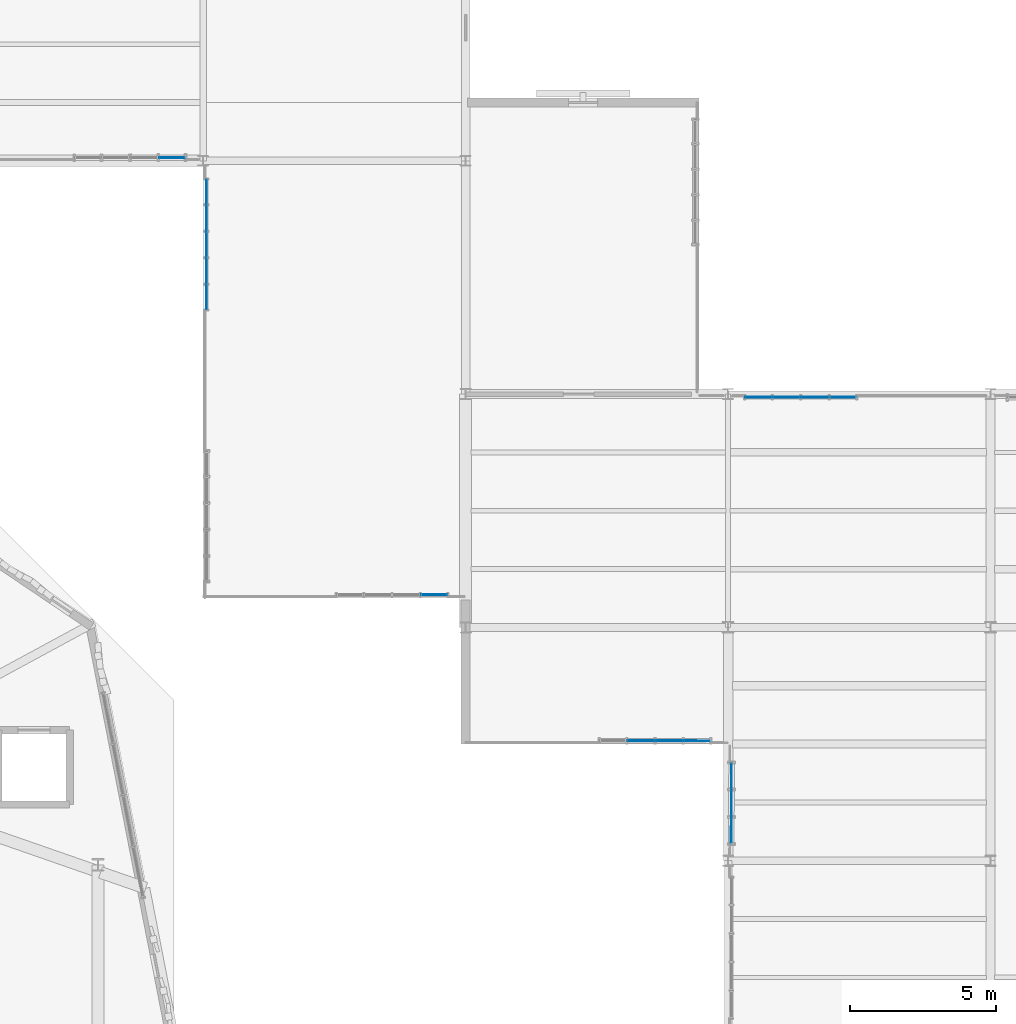
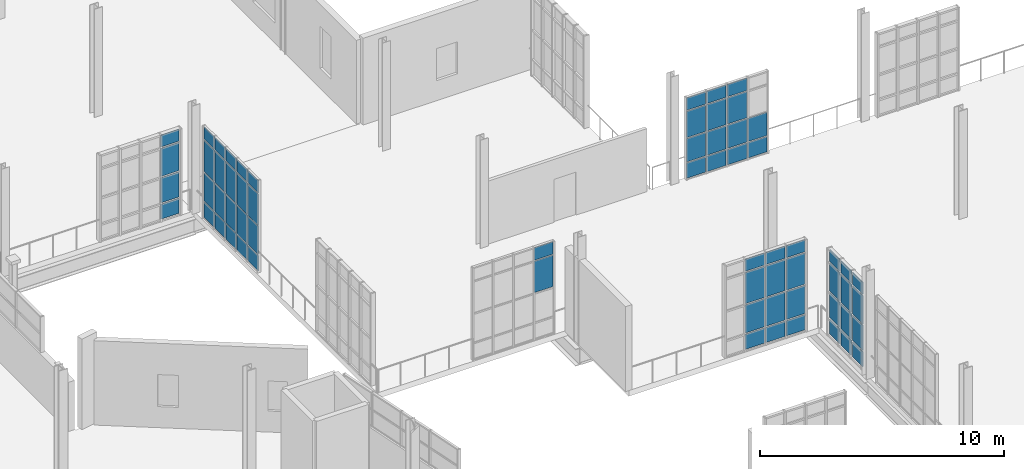
# One storey, part 110 of 142: 64 plates, 6 elements without a shape of their own.
"""IFC4 building model written with IfcOpenShell, lengths in metres."""

from ifc_helpers import new_model, si_unit, direction, frame, origin, origin_2d, place, context, subcontext, project, spatial, rectangle, extrude, material, layer, layer_set, type_object, element, aggregate, save


model = new_model("IFC4")

# Units and contexts
model_context = context("Model", 3, precision=1e-05, world=origin(), true_north=direction((0.0, 1.0)))
body_context = subcontext(model_context, "Body", "Model", "MODEL_VIEW")
ifc_project = project(units=[si_unit("LENGTHUNIT", "METRE"), si_unit("AREAUNIT", "SQUARE_METRE"), si_unit("VOLUMEUNIT", "CUBIC_METRE"), si_unit("PLANEANGLEUNIT", "RADIAN"), si_unit("MASSUNIT", "GRAM", prefix="KILO"), si_unit("THERMODYNAMICTEMPERATUREUNIT", "KELVIN"), si_unit("POWERUNIT", "WATT")], contexts=[model_context])

# Site, building, storey
site_placement = place(None, origin())
site = spatial("IfcSite", under=ifc_project, at=site_placement, CompositionType="ELEMENT")
building_placement = place(site_placement, origin())
building = spatial("IfcBuilding", under=site, at=building_placement, Name="Zelmaris Science Centre", CompositionType="ELEMENT")
storey_placement = place(building_placement, frame((0.0, 0.0, 5.39990234375)))
storey = spatial("IfcBuildingStorey", under=building, at=storey_placement, Name="L01", CompositionType="ELEMENT", Elevation=5.39990234375)

# Curtain wall, plates
ifc_material_1 = material(Name="Anodised architectural aluminium 6063-T6", Category="aluminium")
ifc_layer_1 = layer(ifc_material_1, 0.18994140625, Name="Anodised architectural aluminium 6063-T6")
ifc_layer_set_1 = layer_set([ifc_layer_1], Name="Anodised architectural aluminium 6063-T6")
curtain_wall_type_1 = type_object("IfcCurtainWallType", Name="Curtain Wall CW-01", PredefinedType="USERDEFINED", material=ifc_layer_set_1)
curtain_wall_1_placement = place(storey_placement, origin())
curtain_wall_1 = element("IfcCurtainWall", 1, at=curtain_wall_1_placement, inside=storey, type_object=curtain_wall_type_1, Name="L01 Unitised curtain wall 181", ObjectType="GLAZED CURTAIN WALL", PredefinedType="USERDEFINED")
ifc_material_2 = material(Name="Laminated hurricane-rated low-E insulated glazing", Category="glass")
ifc_layer_2 = layer(ifc_material_2, 0.031982421875, Name="Laminated hurricane-rated low-E insulated glazing")
ifc_layer_set_2 = layer_set([ifc_layer_2], Name="Laminated hurricane-rated low-E insulated glazing")
plate_type_1 = type_object("IfcPlateType", Name="Curtain Glazing Panel CWP-1 32mm", PredefinedType="CURTAIN_PANEL", material=ifc_layer_set_2)
plate_1_placement = place(storey_placement, frame((117.116943359375, 41.03466796875, 0.05712890625), z_axis=(0.0, 0.0, 1.0), x_axis=(0.00101398549, 0.999999485917, 0.0)))
plate_1 = element("IfcPlate", 2, at=plate_1_placement, type_object=plate_type_1, Name="CW-01 panel 1.1", PredefinedType="CURTAIN_PANEL", context=body_context, shape_type="SweptSolid", body=[
    extrude(rectangle(XDim=0.84521484375, YDim=0.031982421875, at=origin_2d()), origin(), (0.0, 0.0, 1.0), 0.741943359375),
])
plate_2_placement = place(storey_placement, frame((117.116943359375, 41.03466796875, 0.87109375), z_axis=(0.0, 0.0, 1.0), x_axis=(0.00101398549, 0.999999485917, 0.0)))
plate_2 = element("IfcPlate", 3, at=plate_2_placement, type_object=plate_type_1, Name="CW-01 panel 1.2", PredefinedType="CURTAIN_PANEL", context=body_context, shape_type="SweptSolid", body=[
    extrude(rectangle(XDim=0.84521484375, YDim=0.031982421875, at=origin_2d()), origin(), (0.0, 0.0, 1.0), 1.259521484375),
])
plate_3_placement = place(storey_placement, frame((117.116943359375, 41.03466796875, 2.20263671875), z_axis=(0.0, 0.0, 1.0), x_axis=(0.00101398549, 0.999999485917, 0.0)))
plate_3 = element("IfcPlate", 4, at=plate_3_placement, type_object=plate_type_1, Name="CW-01 panel 1.3", PredefinedType="CURTAIN_PANEL", context=body_context, shape_type="SweptSolid", body=[
    extrude(rectangle(XDim=0.84521484375, YDim=0.031982421875, at=origin_2d()), origin(), (0.0, 0.0, 1.0), 1.409423828125),
])
plate_4_placement = place(storey_placement, frame((117.116943359375, 41.03466796875, 3.68408203125), z_axis=(0.0, 0.0, 1.0), x_axis=(0.00101398549, 0.999999485917, 0.0)))
plate_4 = element("IfcPlate", 5, at=plate_4_placement, type_object=plate_type_1, Name="CW-01 panel 1.4", PredefinedType="CURTAIN_PANEL", context=body_context, shape_type="SweptSolid", body=[
    extrude(rectangle(XDim=0.84521484375, YDim=0.031982421875, at=origin_2d()), origin(), (0.0, 0.0, 1.0), 0.592041015625),
])
plate_5_placement = place(storey_placement, frame((117.117919921875, 41.969970703125, 0.05712890625), z_axis=(0.0, 0.0, 1.0), x_axis=(0.00101398549, 0.999999485917, 0.0)))
plate_5 = element("IfcPlate", 6, at=plate_5_placement, type_object=plate_type_1, Name="CW-01 panel 2.1", PredefinedType="CURTAIN_PANEL", context=body_context, shape_type="SweptSolid", body=[
    extrude(rectangle(XDim=0.88134765625, YDim=0.031982421875, at=origin_2d()), origin(), (0.0, 0.0, 1.0), 0.741943359375),
])
plate_6_placement = place(storey_placement, frame((117.117919921875, 41.969970703125, 0.87109375), z_axis=(0.0, 0.0, 1.0), x_axis=(0.00101398549, 0.999999485917, 0.0)))
plate_6 = element("IfcPlate", 7, at=plate_6_placement, type_object=plate_type_1, Name="CW-01 panel 2.2", PredefinedType="CURTAIN_PANEL", context=body_context, shape_type="SweptSolid", body=[
    extrude(rectangle(XDim=0.88134765625, YDim=0.031982421875, at=origin_2d()), origin(), (0.0, 0.0, 1.0), 1.259521484375),
])
plate_7_placement = place(storey_placement, frame((117.117919921875, 41.969970703125, 2.20263671875), z_axis=(0.0, 0.0, 1.0), x_axis=(0.00101398549, 0.999999485917, 0.0)))
plate_7 = element("IfcPlate", 8, at=plate_7_placement, type_object=plate_type_1, Name="CW-01 panel 2.3", PredefinedType="CURTAIN_PANEL", context=body_context, shape_type="SweptSolid", body=[
    extrude(rectangle(XDim=0.88134765625, YDim=0.031982421875, at=origin_2d()), origin(), (0.0, 0.0, 1.0), 1.409423828125),
])
plate_8_placement = place(storey_placement, frame((117.117919921875, 41.969970703125, 3.68408203125), z_axis=(0.0, 0.0, 1.0), x_axis=(0.00101398549, 0.999999485917, 0.0)))
plate_8 = element("IfcPlate", 9, at=plate_8_placement, type_object=plate_type_1, Name="CW-01 panel 2.4", PredefinedType="CURTAIN_PANEL", context=body_context, shape_type="SweptSolid", body=[
    extrude(rectangle(XDim=0.88134765625, YDim=0.031982421875, at=origin_2d()), origin(), (0.0, 0.0, 1.0), 0.592041015625),
])
plate_9_placement = place(storey_placement, frame((117.118896484375, 42.9052734375, 0.05712890625), z_axis=(0.0, 0.0, 1.0), x_axis=(0.00101398549, 0.999999485917, 0.0)))
plate_9 = element("IfcPlate", 10, at=plate_9_placement, type_object=plate_type_1, Name="CW-01 panel 3.1", PredefinedType="CURTAIN_PANEL", context=body_context, shape_type="SweptSolid", body=[
    extrude(rectangle(XDim=0.84521484375, YDim=0.031982421875, at=origin_2d()), origin(), (0.0, 0.0, 1.0), 0.741943359375),
])
plate_10_placement = place(storey_placement, frame((117.118896484375, 42.9052734375, 0.87109375), z_axis=(0.0, 0.0, 1.0), x_axis=(0.00101398549, 0.999999485917, 0.0)))
plate_10 = element("IfcPlate", 11, at=plate_10_placement, type_object=plate_type_1, Name="CW-01 panel 3.2", PredefinedType="CURTAIN_PANEL", context=body_context, shape_type="SweptSolid", body=[
    extrude(rectangle(XDim=0.84521484375, YDim=0.031982421875, at=origin_2d()), origin(), (0.0, 0.0, 1.0), 1.259521484375),
])
plate_11_placement = place(storey_placement, frame((117.118896484375, 42.9052734375, 2.20263671875), z_axis=(0.0, 0.0, 1.0), x_axis=(0.00101398549, 0.999999485917, 0.0)))
plate_11 = element("IfcPlate", 12, at=plate_11_placement, type_object=plate_type_1, Name="CW-01 panel 3.3", PredefinedType="CURTAIN_PANEL", context=body_context, shape_type="SweptSolid", body=[
    extrude(rectangle(XDim=0.84521484375, YDim=0.031982421875, at=origin_2d()), origin(), (0.0, 0.0, 1.0), 1.409423828125),
])
plate_12_placement = place(storey_placement, frame((117.118896484375, 42.9052734375, 3.68408203125), z_axis=(0.0, 0.0, 1.0), x_axis=(0.00101398549, 0.999999485917, 0.0)))
plate_12 = element("IfcPlate", 13, at=plate_12_placement, type_object=plate_type_1, Name="CW-01 panel 3.4", PredefinedType="CURTAIN_PANEL", context=body_context, shape_type="SweptSolid", body=[
    extrude(rectangle(XDim=0.84521484375, YDim=0.031982421875, at=origin_2d()), origin(), (0.0, 0.0, 1.0), 0.592041015625),
])
aggregate(curtain_wall_1, [plate_1, plate_2, plate_3, plate_4, plate_5, plate_6, plate_7, plate_8, plate_9, plate_10, plate_11, plate_12])

curtain_wall_2_placement = place(storey_placement, origin())
curtain_wall_2 = element("IfcCurtainWall", 14, at=curtain_wall_2_placement, inside=storey, type_object=curtain_wall_type_1, Name="L01 Unitised curtain wall 189", ObjectType="GLAZED CURTAIN WALL", PredefinedType="USERDEFINED")
plate_13_placement = place(storey_placement, frame((97.929443359375, 64.109375, 0.05712890625), z_axis=(0.0, 0.0, 1.0), x_axis=(-0.999999793124, -0.000643235606, 0.0)))
plate_13 = element("IfcPlate", 15, at=plate_13_placement, type_object=plate_type_1, Name="CW-01 panel 1.1", PredefinedType="CURTAIN_PANEL", context=body_context, shape_type="SweptSolid", body=[
    extrude(rectangle(XDim=0.86376953125, YDim=0.031982421875, at=origin_2d()), origin(), (0.0, 0.0, 1.0), 0.741943359375),
])
plate_14_placement = place(storey_placement, frame((97.929443359375, 64.109375, 0.87109375), z_axis=(0.0, 0.0, 1.0), x_axis=(-0.999999793124, -0.000643235606, 0.0)))
plate_14 = element("IfcPlate", 16, at=plate_14_placement, type_object=plate_type_1, Name="CW-01 panel 1.2", PredefinedType="CURTAIN_PANEL", context=body_context, shape_type="SweptSolid", body=[
    extrude(rectangle(XDim=0.86376953125, YDim=0.031982421875, at=origin_2d()), origin(), (0.0, 0.0, 1.0), 1.248046875),
])
plate_15_placement = place(storey_placement, frame((97.929443359375, 64.109375, 2.191162109375), z_axis=(0.0, 0.0, 1.0), x_axis=(-0.999999793124, -0.000643235606, 0.0)))
plate_15 = element("IfcPlate", 17, at=plate_15_placement, type_object=plate_type_1, Name="CW-01 panel 1.3", PredefinedType="CURTAIN_PANEL", context=body_context, shape_type="SweptSolid", body=[
    extrude(rectangle(XDim=0.86376953125, YDim=0.031982421875, at=origin_2d()), origin(), (0.0, 0.0, 1.0), 1.39794921875),
])
plate_16_placement = place(storey_placement, frame((97.929443359375, 64.109375, 3.6611328125), z_axis=(0.0, 0.0, 1.0), x_axis=(-0.999999793124, -0.000643235606, 0.0)))
plate_16 = element("IfcPlate", 18, at=plate_16_placement, type_object=plate_type_1, Name="CW-01 panel 1.4", PredefinedType="CURTAIN_PANEL", context=body_context, shape_type="SweptSolid", body=[
    extrude(rectangle(XDim=0.86376953125, YDim=0.031982421875, at=origin_2d()), origin(), (0.0, 0.0, 1.0), 0.592041015625),
])
aggregate(curtain_wall_2, [plate_13, plate_14, plate_15, plate_16])

ifc_layer_3 = layer(ifc_material_1, 0.199951171875, Name="Anodised architectural aluminium 6063-T6")
ifc_layer_set_3 = layer_set([ifc_layer_3], Name="Anodised architectural aluminium 6063-T6")
curtain_wall_type_2 = type_object("IfcCurtainWallType", Name="Curtain Wall CW-02", PredefinedType="USERDEFINED", material=ifc_layer_set_3)
curtain_wall_3_placement = place(storey_placement, origin())
curtain_wall_3 = element("IfcCurtainWall", 19, at=curtain_wall_3_placement, inside=storey, type_object=curtain_wall_type_2, Name="L01 Unitised curtain wall 182", ObjectType="GLAZED CURTAIN WALL", PredefinedType="USERDEFINED")
ifc_layer_4 = layer(ifc_material_2, 0.028076171875, Name="Laminated hurricane-rated low-E insulated glazing")
ifc_layer_set_4 = layer_set([ifc_layer_4], Name="Laminated hurricane-rated low-E insulated glazing")
plate_type_2 = type_object("IfcPlateType", Name="Curtain Glazing Panel CWP-2 28mm", PredefinedType="CURTAIN_PANEL", material=ifc_layer_set_4)
plate_17_placement = place(storey_placement, frame((115.935546875, 44.10791015625, 0.052001953125), z_axis=(0.0, 0.0, 1.0), x_axis=(-0.999998849207, 0.001517097758, 0.0)))
plate_17 = element("IfcPlate", 20, at=plate_17_placement, type_object=plate_type_2, Name="CW-02 panel 1.1", PredefinedType="CURTAIN_PANEL", context=body_context, shape_type="SweptSolid", body=[
    extrude(rectangle(XDim=0.871826171875, YDim=0.028076171875, at=origin_2d()), origin(), (0.0, 0.0, 1.0), 0.74951171875),
])
plate_18_placement = place(storey_placement, frame((115.935546875, 44.10791015625, 0.86865234375), z_axis=(0.0, 0.0, 1.0), x_axis=(-0.999998849207, 0.001517097758, 0.0)))
plate_18 = element("IfcPlate", 21, at=plate_18_placement, type_object=plate_type_2, Name="CW-02 panel 1.2", PredefinedType="CURTAIN_PANEL", context=body_context, shape_type="SweptSolid", body=[
    extrude(rectangle(XDim=0.871826171875, YDim=0.028076171875, at=origin_2d()), origin(), (0.0, 0.0, 1.0), 1.400390625),
])
plate_19_placement = place(storey_placement, frame((115.935546875, 44.10791015625, 2.3359375), z_axis=(0.0, 0.0, 1.0), x_axis=(-0.999998849207, 0.001517097758, 0.0)))
plate_19 = element("IfcPlate", 22, at=plate_19_placement, type_object=plate_type_2, Name="CW-02 panel 1.3", PredefinedType="CURTAIN_PANEL", context=body_context, shape_type="SweptSolid", body=[
    extrude(rectangle(XDim=0.871826171875, YDim=0.028076171875, at=origin_2d()), origin(), (0.0, 0.0, 1.0), 1.550537109375),
])
plate_20_placement = place(storey_placement, frame((115.935546875, 44.10791015625, 3.95361328125), z_axis=(0.0, 0.0, 1.0), x_axis=(-0.999998849207, 0.001517097758, 0.0)))
plate_20 = element("IfcPlate", 23, at=plate_20_placement, type_object=plate_type_2, Name="CW-02 panel 1.4", PredefinedType="CURTAIN_PANEL", context=body_context, shape_type="SweptSolid", body=[
    extrude(rectangle(XDim=0.871826171875, YDim=0.028076171875, at=origin_2d()), origin(), (0.0, 0.0, 1.0), 0.599609375),
])
plate_21_placement = place(storey_placement, frame((114.97998046875, 44.109375, 0.052001953125), z_axis=(0.0, 0.0, 1.0), x_axis=(-0.999998849207, 0.001517097758, 0.0)))
plate_21 = element("IfcPlate", 24, at=plate_21_placement, type_object=plate_type_2, Name="CW-02 panel 2.1", PredefinedType="CURTAIN_PANEL", context=body_context, shape_type="SweptSolid", body=[
    extrude(rectangle(XDim=0.9052734375, YDim=0.028076171875, at=origin_2d()), origin(), (0.0, 0.0, 1.0), 0.74951171875),
])
plate_22_placement = place(storey_placement, frame((114.97998046875, 44.109375, 0.86865234375), z_axis=(0.0, 0.0, 1.0), x_axis=(-0.999998849207, 0.001517097758, 0.0)))
plate_22 = element("IfcPlate", 25, at=plate_22_placement, type_object=plate_type_2, Name="CW-02 panel 2.2", PredefinedType="CURTAIN_PANEL", context=body_context, shape_type="SweptSolid", body=[
    extrude(rectangle(XDim=0.9052734375, YDim=0.028076171875, at=origin_2d()), origin(), (0.0, 0.0, 1.0), 1.400390625),
])
plate_23_placement = place(storey_placement, frame((114.97998046875, 44.109375, 2.3359375), z_axis=(0.0, 0.0, 1.0), x_axis=(-0.999998849207, 0.001517097758, 0.0)))
plate_23 = element("IfcPlate", 26, at=plate_23_placement, type_object=plate_type_2, Name="CW-02 panel 2.3", PredefinedType="CURTAIN_PANEL", context=body_context, shape_type="SweptSolid", body=[
    extrude(rectangle(XDim=0.9052734375, YDim=0.028076171875, at=origin_2d()), origin(), (0.0, 0.0, 1.0), 1.550537109375),
])
plate_24_placement = place(storey_placement, frame((114.97998046875, 44.109375, 3.95361328125), z_axis=(0.0, 0.0, 1.0), x_axis=(-0.999998849207, 0.001517097758, 0.0)))
plate_24 = element("IfcPlate", 27, at=plate_24_placement, type_object=plate_type_2, Name="CW-02 panel 2.4", PredefinedType="CURTAIN_PANEL", context=body_context, shape_type="SweptSolid", body=[
    extrude(rectangle(XDim=0.9052734375, YDim=0.028076171875, at=origin_2d()), origin(), (0.0, 0.0, 1.0), 0.599609375),
])
plate_25_placement = place(storey_placement, frame((114.007568359375, 44.11083984375, 0.052001953125), z_axis=(0.0, 0.0, 1.0), x_axis=(-0.999998849207, 0.001517097758, 0.0)))
plate_25 = element("IfcPlate", 28, at=plate_25_placement, type_object=plate_type_2, Name="CW-02 panel 3.1", PredefinedType="CURTAIN_PANEL", context=body_context, shape_type="SweptSolid", body=[
    extrude(rectangle(XDim=0.9052734375, YDim=0.028076171875, at=origin_2d()), origin(), (0.0, 0.0, 1.0), 0.74951171875),
])
plate_26_placement = place(storey_placement, frame((114.007568359375, 44.11083984375, 0.86865234375), z_axis=(0.0, 0.0, 1.0), x_axis=(-0.999998849207, 0.001517097758, 0.0)))
plate_26 = element("IfcPlate", 29, at=plate_26_placement, type_object=plate_type_2, Name="CW-02 panel 3.2", PredefinedType="CURTAIN_PANEL", context=body_context, shape_type="SweptSolid", body=[
    extrude(rectangle(XDim=0.9052734375, YDim=0.028076171875, at=origin_2d()), origin(), (0.0, 0.0, 1.0), 1.400390625),
])
plate_27_placement = place(storey_placement, frame((114.007568359375, 44.11083984375, 2.3359375), z_axis=(0.0, 0.0, 1.0), x_axis=(-0.999998849207, 0.001517097758, 0.0)))
plate_27 = element("IfcPlate", 30, at=plate_27_placement, type_object=plate_type_2, Name="CW-02 panel 3.3", PredefinedType="CURTAIN_PANEL", context=body_context, shape_type="SweptSolid", body=[
    extrude(rectangle(XDim=0.9052734375, YDim=0.028076171875, at=origin_2d()), origin(), (0.0, 0.0, 1.0), 1.550537109375),
])
plate_28_placement = place(storey_placement, frame((114.007568359375, 44.11083984375, 3.95361328125), z_axis=(0.0, 0.0, 1.0), x_axis=(-0.999998849207, 0.001517097758, 0.0)))
plate_28 = element("IfcPlate", 31, at=plate_28_placement, type_object=plate_type_2, Name="CW-02 panel 3.4", PredefinedType="CURTAIN_PANEL", context=body_context, shape_type="SweptSolid", body=[
    extrude(rectangle(XDim=0.9052734375, YDim=0.028076171875, at=origin_2d()), origin(), (0.0, 0.0, 1.0), 0.599609375),
])
aggregate(curtain_wall_3, [plate_17, plate_18, plate_19, plate_20, plate_21, plate_22, plate_23, plate_24, plate_25, plate_26, plate_27, plate_28])

ifc_layer_5 = layer(ifc_material_1, 0.2099609375, Name="Anodised architectural aluminium 6063-T6")
ifc_layer_set_5 = layer_set([ifc_layer_5], Name="Anodised architectural aluminium 6063-T6")
curtain_wall_type_3 = type_object("IfcCurtainWallType", Name="Curtain Wall CW-03", PredefinedType="USERDEFINED", material=ifc_layer_set_5)
curtain_wall_4_placement = place(storey_placement, origin())
curtain_wall_4 = element("IfcCurtainWall", 32, at=curtain_wall_4_placement, inside=storey, type_object=curtain_wall_type_3, Name="L01 Unitised curtain wall 143", ObjectType="GLAZED CURTAIN WALL", PredefinedType="USERDEFINED")
ifc_layer_6 = layer(ifc_material_2, 0.02587890625, Name="Laminated hurricane-rated low-E insulated glazing")
ifc_layer_set_6 = layer_set([ifc_layer_6], Name="Laminated hurricane-rated low-E insulated glazing")
plate_type_3 = type_object("IfcPlateType", Name="Curtain Glazing Panel CWP-3 26mm", PredefinedType="CURTAIN_PANEL", material=ifc_layer_set_6)
plate_29_placement = place(storey_placement, frame((118.041748046875, 55.892578125, 0.0419921875), z_axis=(0.0, 0.0, 1.0), x_axis=(0.999999881328, -0.000487179425, 0.0)))
plate_29 = element("IfcPlate", 33, at=plate_29_placement, type_object=plate_type_3, Name="CW-03 panel 1.1", PredefinedType="CURTAIN_PANEL", context=body_context, shape_type="SweptSolid", body=[
    extrude(rectangle(XDim=0.889404296875, YDim=0.02587890625, at=origin_2d()), origin(), (0.0, 0.0, 1.0), 0.764404296875),
])
plate_30_placement = place(storey_placement, frame((118.041748046875, 55.892578125, 0.86376953125), z_axis=(0.0, 0.0, 1.0), x_axis=(0.999999881328, -0.000487179425, 0.0)))
plate_30 = element("IfcPlate", 34, at=plate_30_placement, type_object=plate_type_3, Name="CW-03 panel 1.2", PredefinedType="CURTAIN_PANEL", context=body_context, shape_type="SweptSolid", body=[
    extrude(rectangle(XDim=0.889404296875, YDim=0.02587890625, at=origin_2d()), origin(), (0.0, 0.0, 1.0), 1.157470703125),
])
plate_31_placement = place(storey_placement, frame((118.041748046875, 55.892578125, 2.078125), z_axis=(0.0, 0.0, 1.0), x_axis=(0.999999881328, -0.000487179425, 0.0)))
plate_31 = element("IfcPlate", 35, at=plate_31_placement, type_object=plate_type_3, Name="CW-03 panel 1.3", PredefinedType="CURTAIN_PANEL", context=body_context, shape_type="SweptSolid", body=[
    extrude(rectangle(XDim=0.889404296875, YDim=0.02587890625, at=origin_2d()), origin(), (0.0, 0.0, 1.0), 1.3076171875),
])
plate_32_placement = place(storey_placement, frame((118.041748046875, 55.892578125, 3.4423828125), z_axis=(0.0, 0.0, 1.0), x_axis=(0.999999881328, -0.000487179425, 0.0)))
plate_32 = element("IfcPlate", 36, at=plate_32_placement, type_object=plate_type_3, Name="CW-03 panel 1.4", PredefinedType="CURTAIN_PANEL", context=body_context, shape_type="SweptSolid", body=[
    extrude(rectangle(XDim=0.889404296875, YDim=0.02587890625, at=origin_2d()), origin(), (0.0, 0.0, 1.0), 0.614501953125),
])
plate_33_placement = place(storey_placement, frame((119.00244140625, 55.89208984375, 0.0419921875), z_axis=(0.0, 0.0, 1.0), x_axis=(0.999999881328, -0.000487179425, 0.0)))
plate_33 = element("IfcPlate", 37, at=plate_33_placement, type_object=plate_type_3, Name="CW-03 panel 2.1", PredefinedType="CURTAIN_PANEL", context=body_context, shape_type="SweptSolid", body=[
    extrude(rectangle(XDim=0.91796875, YDim=0.02587890625, at=origin_2d()), origin(), (0.0, 0.0, 1.0), 0.764404296875),
])
plate_34_placement = place(storey_placement, frame((119.00244140625, 55.89208984375, 0.86376953125), z_axis=(0.0, 0.0, 1.0), x_axis=(0.999999881328, -0.000487179425, 0.0)))
plate_34 = element("IfcPlate", 38, at=plate_34_placement, type_object=plate_type_3, Name="CW-03 panel 2.2", PredefinedType="CURTAIN_PANEL", context=body_context, shape_type="SweptSolid", body=[
    extrude(rectangle(XDim=0.91796875, YDim=0.02587890625, at=origin_2d()), origin(), (0.0, 0.0, 1.0), 1.157470703125),
])
plate_35_placement = place(storey_placement, frame((119.00244140625, 55.89208984375, 2.078125), z_axis=(0.0, 0.0, 1.0), x_axis=(0.999999881328, -0.000487179425, 0.0)))
plate_35 = element("IfcPlate", 39, at=plate_35_placement, type_object=plate_type_3, Name="CW-03 panel 2.3", PredefinedType="CURTAIN_PANEL", context=body_context, shape_type="SweptSolid", body=[
    extrude(rectangle(XDim=0.91796875, YDim=0.02587890625, at=origin_2d()), origin(), (0.0, 0.0, 1.0), 1.3076171875),
])
plate_36_placement = place(storey_placement, frame((119.00244140625, 55.89208984375, 3.4423828125), z_axis=(0.0, 0.0, 1.0), x_axis=(0.999999881328, -0.000487179425, 0.0)))
plate_36 = element("IfcPlate", 40, at=plate_36_placement, type_object=plate_type_3, Name="CW-03 panel 2.4", PredefinedType="CURTAIN_PANEL", context=body_context, shape_type="SweptSolid", body=[
    extrude(rectangle(XDim=0.91796875, YDim=0.02587890625, at=origin_2d()), origin(), (0.0, 0.0, 1.0), 0.614501953125),
])
plate_37_placement = place(storey_placement, frame((119.977294921875, 55.8916015625, 0.0419921875), z_axis=(0.0, 0.0, 1.0), x_axis=(0.999999881328, -0.000487179425, 0.0)))
plate_37 = element("IfcPlate", 41, at=plate_37_placement, type_object=plate_type_3, Name="CW-03 panel 3.1", PredefinedType="CURTAIN_PANEL", context=body_context, shape_type="SweptSolid", body=[
    extrude(rectangle(XDim=0.91796875, YDim=0.02587890625, at=origin_2d()), origin(), (0.0, 0.0, 1.0), 0.764404296875),
])
plate_38_placement = place(storey_placement, frame((119.977294921875, 55.8916015625, 0.86376953125), z_axis=(0.0, 0.0, 1.0), x_axis=(0.999999881328, -0.000487179425, 0.0)))
plate_38 = element("IfcPlate", 42, at=plate_38_placement, type_object=plate_type_3, Name="CW-03 panel 3.2", PredefinedType="CURTAIN_PANEL", context=body_context, shape_type="SweptSolid", body=[
    extrude(rectangle(XDim=0.91796875, YDim=0.02587890625, at=origin_2d()), origin(), (0.0, 0.0, 1.0), 1.157470703125),
])
plate_39_placement = place(storey_placement, frame((119.977294921875, 55.8916015625, 2.078125), z_axis=(0.0, 0.0, 1.0), x_axis=(0.999999881328, -0.000487179425, 0.0)))
plate_39 = element("IfcPlate", 43, at=plate_39_placement, type_object=plate_type_3, Name="CW-03 panel 3.3", PredefinedType="CURTAIN_PANEL", context=body_context, shape_type="SweptSolid", body=[
    extrude(rectangle(XDim=0.91796875, YDim=0.02587890625, at=origin_2d()), origin(), (0.0, 0.0, 1.0), 1.3076171875),
])
plate_40_placement = place(storey_placement, frame((119.977294921875, 55.8916015625, 3.4423828125), z_axis=(0.0, 0.0, 1.0), x_axis=(0.999999881328, -0.000487179425, 0.0)))
plate_40 = element("IfcPlate", 44, at=plate_40_placement, type_object=plate_type_3, Name="CW-03 panel 3.4", PredefinedType="CURTAIN_PANEL", context=body_context, shape_type="SweptSolid", body=[
    extrude(rectangle(XDim=0.91796875, YDim=0.02587890625, at=origin_2d()), origin(), (0.0, 0.0, 1.0), 0.614501953125),
])
plate_41_placement = place(storey_placement, frame((120.938232421875, 55.891357421875, 0.0419921875), z_axis=(0.0, 0.0, 1.0), x_axis=(0.999999881328, -0.000487179425, 0.0)))
plate_41 = element("IfcPlate", 45, at=plate_41_placement, type_object=plate_type_3, Name="CW-03 panel 4.1", PredefinedType="CURTAIN_PANEL", context=body_context, shape_type="SweptSolid", body=[
    extrude(rectangle(XDim=0.889404296875, YDim=0.02587890625, at=origin_2d()), origin(), (0.0, 0.0, 1.0), 0.764404296875),
])
plate_42_placement = place(storey_placement, frame((120.938232421875, 55.891357421875, 0.86376953125), z_axis=(0.0, 0.0, 1.0), x_axis=(0.999999881328, -0.000487179425, 0.0)))
plate_42 = element("IfcPlate", 46, at=plate_42_placement, type_object=plate_type_3, Name="CW-03 panel 4.2", PredefinedType="CURTAIN_PANEL", context=body_context, shape_type="SweptSolid", body=[
    extrude(rectangle(XDim=0.889404296875, YDim=0.02587890625, at=origin_2d()), origin(), (0.0, 0.0, 1.0), 1.157470703125),
])
aggregate(curtain_wall_4, [plate_29, plate_30, plate_31, plate_32, plate_33, plate_34, plate_35, plate_36, plate_37, plate_38, plate_39, plate_40, plate_41, plate_42])

ifc_layer_7 = layer(ifc_material_1, 0.219970703125, Name="Anodised architectural aluminium 6063-T6")
ifc_layer_set_7 = layer_set([ifc_layer_7], Name="Anodised architectural aluminium 6063-T6")
curtain_wall_type_4 = type_object("IfcCurtainWallType", Name="Curtain Wall CW-04", PredefinedType="USERDEFINED", material=ifc_layer_set_7)
curtain_wall_5_placement = place(storey_placement, origin())
curtain_wall_5 = element("IfcCurtainWall", 47, at=curtain_wall_5_placement, inside=storey, type_object=curtain_wall_type_4, Name="L01 Unitised curtain wall 184", ObjectType="GLAZED CURTAIN WALL", PredefinedType="USERDEFINED")
ifc_layer_8 = layer(ifc_material_2, 0.02392578125, Name="Laminated hurricane-rated low-E insulated glazing")
ifc_layer_set_8 = layer_set([ifc_layer_8], Name="Laminated hurricane-rated low-E insulated glazing")
plate_type_4 = type_object("IfcPlateType", Name="Curtain Glazing Panel CWP-4 24mm", PredefinedType="CURTAIN_PANEL", material=ifc_layer_set_8)
plate_43_placement = place(storey_placement, frame((106.919677734375, 49.11767578125, 2.32861328125), z_axis=(0.0, 0.0, 1.0), x_axis=(-0.999999959785, 0.00028360017, 0.0)))
plate_43 = element("IfcPlate", 48, at=plate_43_placement, type_object=plate_type_4, Name="CW-04 panel 1.3", PredefinedType="CURTAIN_PANEL", context=body_context, shape_type="SweptSolid", body=[
    extrude(rectangle(XDim=0.8916015625, YDim=0.02392578125, at=origin_2d()), origin(), (0.0, 0.0, 1.0), 1.5654296875),
])
plate_44_placement = place(storey_placement, frame((106.919677734375, 49.11767578125, 3.946044921875), z_axis=(0.0, 0.0, 1.0), x_axis=(-0.999999959785, 0.00028360017, 0.0)))
plate_44 = element("IfcPlate", 49, at=plate_44_placement, type_object=plate_type_4, Name="CW-04 panel 1.4", PredefinedType="CURTAIN_PANEL", context=body_context, shape_type="SweptSolid", body=[
    extrude(rectangle(XDim=0.8916015625, YDim=0.02392578125, at=origin_2d()), origin(), (0.0, 0.0, 1.0), 0.6220703125),
])
aggregate(curtain_wall_5, [plate_43, plate_44])

curtain_wall_6_placement = place(storey_placement, origin())
curtain_wall_6 = element("IfcCurtainWall", 50, at=curtain_wall_6_placement, inside=storey, type_object=curtain_wall_type_4, Name="L01 Unitised curtain wall 188", ObjectType="GLAZED CURTAIN WALL", PredefinedType="USERDEFINED")
plate_45_placement = place(storey_placement, frame((99.1201171875, 59.326904296875, 0.037109375), z_axis=(0.0, 0.0, 1.0), x_axis=(0.0, 1.0, 0.0)))
plate_45 = element("IfcPlate", 51, at=plate_45_placement, type_object=plate_type_4, Name="CW-04 panel 1.1", PredefinedType="CURTAIN_PANEL", context=body_context, shape_type="SweptSolid", body=[
    extrude(rectangle(XDim=0.830078125, YDim=0.02392578125, at=origin_2d()), origin(), (0.0, 0.0, 1.0), 0.77197265625),
])
plate_46_placement = place(storey_placement, frame((99.1201171875, 59.326904296875, 0.861083984375), z_axis=(0.0, 0.0, 1.0), x_axis=(0.0, 1.0, 0.0)))
plate_46 = element("IfcPlate", 52, at=plate_46_placement, type_object=plate_type_4, Name="CW-04 panel 1.2", PredefinedType="CURTAIN_PANEL", context=body_context, shape_type="SweptSolid", body=[
    extrude(rectangle(XDim=0.830078125, YDim=0.02392578125, at=origin_2d()), origin(), (0.0, 0.0, 1.0), 1.41552734375),
])
plate_47_placement = place(storey_placement, frame((99.1201171875, 59.326904296875, 2.32861328125), z_axis=(0.0, 0.0, 1.0), x_axis=(0.0, 1.0, 0.0)))
plate_47 = element("IfcPlate", 53, at=plate_47_placement, type_object=plate_type_4, Name="CW-04 panel 1.3", PredefinedType="CURTAIN_PANEL", context=body_context, shape_type="SweptSolid", body=[
    extrude(rectangle(XDim=0.830078125, YDim=0.02392578125, at=origin_2d()), origin(), (0.0, 0.0, 1.0), 1.5654296875),
])
plate_48_placement = place(storey_placement, frame((99.1201171875, 59.326904296875, 3.946044921875), z_axis=(0.0, 0.0, 1.0), x_axis=(0.0, 1.0, 0.0)))
plate_48 = element("IfcPlate", 54, at=plate_48_placement, type_object=plate_type_4, Name="CW-04 panel 1.4", PredefinedType="CURTAIN_PANEL", context=body_context, shape_type="SweptSolid", body=[
    extrude(rectangle(XDim=0.830078125, YDim=0.02392578125, at=origin_2d()), origin(), (0.0, 0.0, 1.0), 0.6220703125),
])
plate_49_placement = place(storey_placement, frame((99.1201171875, 60.221923828125, 0.037109375), z_axis=(0.0, 0.0, 1.0), x_axis=(0.0, 1.0, 0.0)))
plate_49 = element("IfcPlate", 55, at=plate_49_placement, type_object=plate_type_4, Name="CW-04 panel 2.1", PredefinedType="CURTAIN_PANEL", context=body_context, shape_type="SweptSolid", body=[
    extrude(rectangle(XDim=0.85595703125, YDim=0.02392578125, at=origin_2d()), origin(), (0.0, 0.0, 1.0), 0.77197265625),
])
plate_50_placement = place(storey_placement, frame((99.1201171875, 60.221923828125, 0.861083984375), z_axis=(0.0, 0.0, 1.0), x_axis=(0.0, 1.0, 0.0)))
plate_50 = element("IfcPlate", 56, at=plate_50_placement, type_object=plate_type_4, Name="CW-04 panel 2.2", PredefinedType="CURTAIN_PANEL", context=body_context, shape_type="SweptSolid", body=[
    extrude(rectangle(XDim=0.85595703125, YDim=0.02392578125, at=origin_2d()), origin(), (0.0, 0.0, 1.0), 1.41552734375),
])
plate_51_placement = place(storey_placement, frame((99.1201171875, 60.221923828125, 2.32861328125), z_axis=(0.0, 0.0, 1.0), x_axis=(0.0, 1.0, 0.0)))
plate_51 = element("IfcPlate", 57, at=plate_51_placement, type_object=plate_type_4, Name="CW-04 panel 2.3", PredefinedType="CURTAIN_PANEL", context=body_context, shape_type="SweptSolid", body=[
    extrude(rectangle(XDim=0.85595703125, YDim=0.02392578125, at=origin_2d()), origin(), (0.0, 0.0, 1.0), 1.5654296875),
])
plate_52_placement = place(storey_placement, frame((99.1201171875, 60.221923828125, 3.946044921875), z_axis=(0.0, 0.0, 1.0), x_axis=(0.0, 1.0, 0.0)))
plate_52 = element("IfcPlate", 58, at=plate_52_placement, type_object=plate_type_4, Name="CW-04 panel 2.4", PredefinedType="CURTAIN_PANEL", context=body_context, shape_type="SweptSolid", body=[
    extrude(rectangle(XDim=0.85595703125, YDim=0.02392578125, at=origin_2d()), origin(), (0.0, 0.0, 1.0), 0.6220703125),
])
plate_53_placement = place(storey_placement, frame((99.1201171875, 61.1298828125, 0.037109375), z_axis=(0.0, 0.0, 1.0), x_axis=(0.0, 1.0, 0.0)))
plate_53 = element("IfcPlate", 59, at=plate_53_placement, type_object=plate_type_4, Name="CW-04 panel 3.1", PredefinedType="CURTAIN_PANEL", context=body_context, shape_type="SweptSolid", body=[
    extrude(rectangle(XDim=0.85595703125, YDim=0.02392578125, at=origin_2d()), origin(), (0.0, 0.0, 1.0), 0.77197265625),
])
plate_54_placement = place(storey_placement, frame((99.1201171875, 61.1298828125, 0.861083984375), z_axis=(0.0, 0.0, 1.0), x_axis=(0.0, 1.0, 0.0)))
plate_54 = element("IfcPlate", 60, at=plate_54_placement, type_object=plate_type_4, Name="CW-04 panel 3.2", PredefinedType="CURTAIN_PANEL", context=body_context, shape_type="SweptSolid", body=[
    extrude(rectangle(XDim=0.85595703125, YDim=0.02392578125, at=origin_2d()), origin(), (0.0, 0.0, 1.0), 1.41552734375),
])
plate_55_placement = place(storey_placement, frame((99.1201171875, 61.1298828125, 2.32861328125), z_axis=(0.0, 0.0, 1.0), x_axis=(0.0, 1.0, 0.0)))
plate_55 = element("IfcPlate", 61, at=plate_55_placement, type_object=plate_type_4, Name="CW-04 panel 3.3", PredefinedType="CURTAIN_PANEL", context=body_context, shape_type="SweptSolid", body=[
    extrude(rectangle(XDim=0.85595703125, YDim=0.02392578125, at=origin_2d()), origin(), (0.0, 0.0, 1.0), 1.5654296875),
])
plate_56_placement = place(storey_placement, frame((99.1201171875, 61.1298828125, 3.946044921875), z_axis=(0.0, 0.0, 1.0), x_axis=(0.0, 1.0, 0.0)))
plate_56 = element("IfcPlate", 62, at=plate_56_placement, type_object=plate_type_4, Name="CW-04 panel 3.4", PredefinedType="CURTAIN_PANEL", context=body_context, shape_type="SweptSolid", body=[
    extrude(rectangle(XDim=0.85595703125, YDim=0.02392578125, at=origin_2d()), origin(), (0.0, 0.0, 1.0), 0.6220703125),
])
plate_57_placement = place(storey_placement, frame((99.1201171875, 62.0380859375, 0.037109375), z_axis=(0.0, 0.0, 1.0), x_axis=(0.0, 1.0, 0.0)))
plate_57 = element("IfcPlate", 63, at=plate_57_placement, type_object=plate_type_4, Name="CW-04 panel 4.1", PredefinedType="CURTAIN_PANEL", context=body_context, shape_type="SweptSolid", body=[
    extrude(rectangle(XDim=0.85595703125, YDim=0.02392578125, at=origin_2d()), origin(), (0.0, 0.0, 1.0), 0.77197265625),
])
plate_58_placement = place(storey_placement, frame((99.1201171875, 62.0380859375, 0.861083984375), z_axis=(0.0, 0.0, 1.0), x_axis=(0.0, 1.0, 0.0)))
plate_58 = element("IfcPlate", 64, at=plate_58_placement, type_object=plate_type_4, Name="CW-04 panel 4.2", PredefinedType="CURTAIN_PANEL", context=body_context, shape_type="SweptSolid", body=[
    extrude(rectangle(XDim=0.85595703125, YDim=0.02392578125, at=origin_2d()), origin(), (0.0, 0.0, 1.0), 1.41552734375),
])
plate_59_placement = place(storey_placement, frame((99.1201171875, 62.0380859375, 2.32861328125), z_axis=(0.0, 0.0, 1.0), x_axis=(0.0, 1.0, 0.0)))
plate_59 = element("IfcPlate", 65, at=plate_59_placement, type_object=plate_type_4, Name="CW-04 panel 4.3", PredefinedType="CURTAIN_PANEL", context=body_context, shape_type="SweptSolid", body=[
    extrude(rectangle(XDim=0.85595703125, YDim=0.02392578125, at=origin_2d()), origin(), (0.0, 0.0, 1.0), 1.5654296875),
])
plate_60_placement = place(storey_placement, frame((99.1201171875, 62.0380859375, 3.946044921875), z_axis=(0.0, 0.0, 1.0), x_axis=(0.0, 1.0, 0.0)))
plate_60 = element("IfcPlate", 66, at=plate_60_placement, type_object=plate_type_4, Name="CW-04 panel 4.4", PredefinedType="CURTAIN_PANEL", context=body_context, shape_type="SweptSolid", body=[
    extrude(rectangle(XDim=0.85595703125, YDim=0.02392578125, at=origin_2d()), origin(), (0.0, 0.0, 1.0), 0.6220703125),
])
plate_61_placement = place(storey_placement, frame((99.1201171875, 62.93310546875, 0.037109375), z_axis=(0.0, 0.0, 1.0), x_axis=(0.0, 1.0, 0.0)))
plate_61 = element("IfcPlate", 67, at=plate_61_placement, type_object=plate_type_4, Name="CW-04 panel 5.1", PredefinedType="CURTAIN_PANEL", context=body_context, shape_type="SweptSolid", body=[
    extrude(rectangle(XDim=0.830078125, YDim=0.02392578125, at=origin_2d()), origin(), (0.0, 0.0, 1.0), 0.77197265625),
])
plate_62_placement = place(storey_placement, frame((99.1201171875, 62.93310546875, 0.861083984375), z_axis=(0.0, 0.0, 1.0), x_axis=(0.0, 1.0, 0.0)))
plate_62 = element("IfcPlate", 68, at=plate_62_placement, type_object=plate_type_4, Name="CW-04 panel 5.2", PredefinedType="CURTAIN_PANEL", context=body_context, shape_type="SweptSolid", body=[
    extrude(rectangle(XDim=0.830078125, YDim=0.02392578125, at=origin_2d()), origin(), (0.0, 0.0, 1.0), 1.41552734375),
])
plate_63_placement = place(storey_placement, frame((99.1201171875, 62.93310546875, 2.32861328125), z_axis=(0.0, 0.0, 1.0), x_axis=(0.0, 1.0, 0.0)))
plate_63 = element("IfcPlate", 69, at=plate_63_placement, type_object=plate_type_4, Name="CW-04 panel 5.3", PredefinedType="CURTAIN_PANEL", context=body_context, shape_type="SweptSolid", body=[
    extrude(rectangle(XDim=0.830078125, YDim=0.02392578125, at=origin_2d()), origin(), (0.0, 0.0, 1.0), 1.5654296875),
])
plate_64_placement = place(storey_placement, frame((99.1201171875, 62.93310546875, 3.946044921875), z_axis=(0.0, 0.0, 1.0), x_axis=(0.0, 1.0, 0.0)))
plate_64 = element("IfcPlate", 70, at=plate_64_placement, type_object=plate_type_4, Name="CW-04 panel 5.4", PredefinedType="CURTAIN_PANEL", context=body_context, shape_type="SweptSolid", body=[
    extrude(rectangle(XDim=0.830078125, YDim=0.02392578125, at=origin_2d()), origin(), (0.0, 0.0, 1.0), 0.6220703125),
])
aggregate(curtain_wall_6, [plate_45, plate_46, plate_47, plate_48, plate_49, plate_50, plate_51, plate_52, plate_53, plate_54, plate_55, plate_56, plate_57, plate_58, plate_59, plate_60, plate_61, plate_62, plate_63, plate_64])

save(model, "model.ifc")
